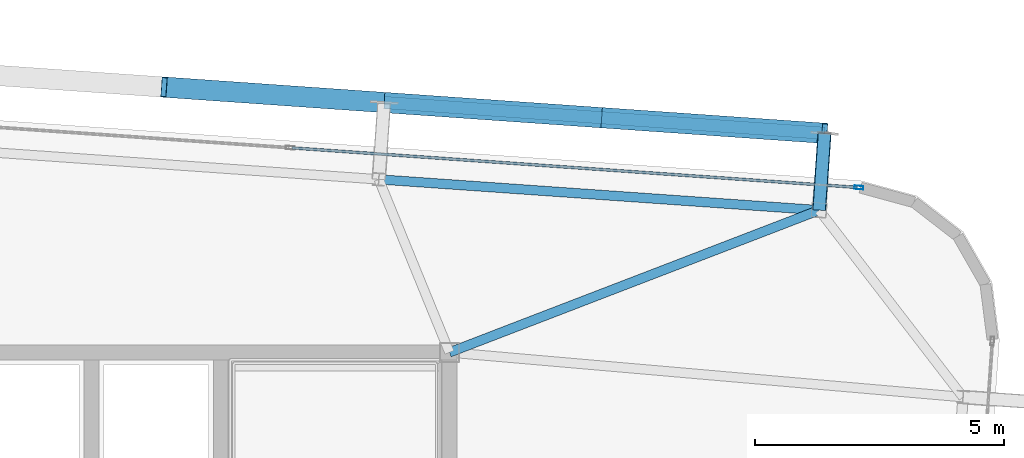
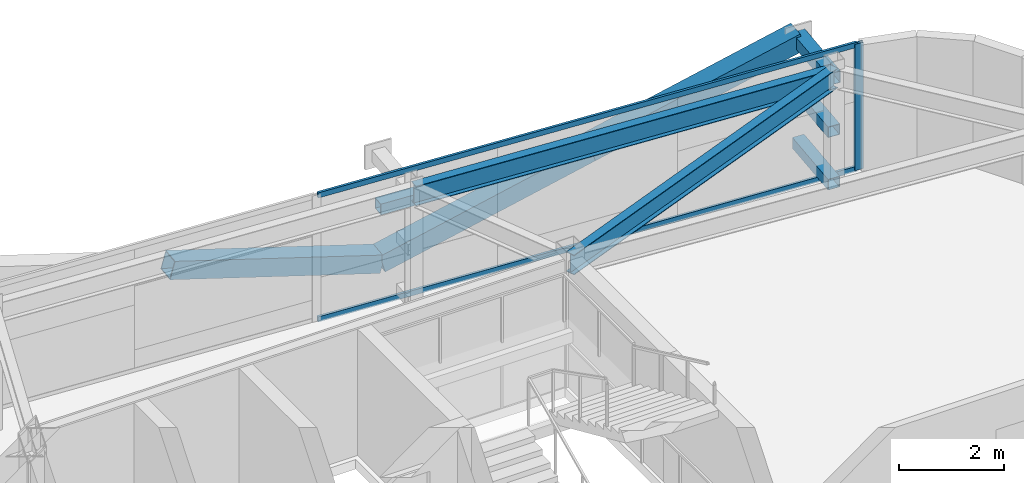
# One storey, part 24 of 39: 10 members, 2 beams, 1 element without a shape of its own.
"""IFC4 building model written with IfcOpenShell, lengths in metres."""

from ifc_helpers import new_model, si_unit, direction, frame, origin, origin_2d, place, context, subcontext, project, spatial, hollow_rectangle, i_section, extrude, source, transform, mapped, material, layer, layer_set, material_profile, profile_set, type_object, element, aggregate, save


model = new_model("IFC4")

# Units and contexts
model_context = context("Model", 3, precision=1e-05, world=origin(), true_north=direction((0.0, 1.0)))
body_context = subcontext(model_context, "Body", "Model", "MODEL_VIEW")
ifc_project = project(units=[si_unit("LENGTHUNIT", "METRE"), si_unit("AREAUNIT", "SQUARE_METRE"), si_unit("VOLUMEUNIT", "CUBIC_METRE"), si_unit("PLANEANGLEUNIT", "RADIAN"), si_unit("MASSUNIT", "GRAM", prefix="KILO")], contexts=[model_context])

# Site, building, storey
site_placement = place(None, origin())
site = spatial("IfcSite", under=ifc_project, at=site_placement, CompositionType="ELEMENT")
building_placement = place(site_placement, origin())
building = spatial("IfcBuilding", under=site, at=building_placement, Name="Taldren Reach Tower", CompositionType="ELEMENT")
storey_placement = place(building_placement, frame((0.0, 0.0, 133.0)))
storey = spatial("IfcBuildingStorey", under=building, at=storey_placement, Name="L40", CompositionType="ELEMENT", Elevation=133.0)

# Members
ifc_material_1 = material(Name="Steel Gr 450 (C450L0)", Category="steel")
ifc_material_profile_1 = material_profile(ifc_material_1, hollow_rectangle(XDim=0.27490234375, YDim=0.27490234375, WallThickness=0.00927734375, at=origin_2d()), Name="275x275x9.3SHS")
ifc_profile_set_1 = profile_set([ifc_material_profile_1], Name="Steel Gr 450 (C450L0)")
member_type_1 = type_object("IfcMemberType", Name="MB-TIE273", PredefinedType="STRUT", material=ifc_profile_set_1)
shared_shape_1 = source(origin(), body_context, "Body", "SweptSolid", [
    extrude(hollow_rectangle(XDim=0.27490234375, YDim=0.27490234375, WallThickness=0.00927734375, at=origin_2d()), origin(), (0.0, 0.0, 1.0), 1.5498046875),
])
member_1_placement = place(storey_placement, frame((58.4365234375, 34.861572265625, 2.64990234375), z_axis=(0.069780535098, 0.997562367434, 0.0), x_axis=(-0.997562367434, 0.069780535098, 0.0)))
element("IfcMember", 1, at=member_1_placement, inside=storey, type_object=member_type_1, Name="Exoskeleton diaphragm tie strut B3-N6 L40", PredefinedType="STRUT", context=body_context, shape_type="MappedRepresentation", body=[
    mapped(shared_shape_1, transform((0.0, 0.0, 0.0), scale=1.0)),
])
ifc_material_2 = material(Name="Steel Gr 350 (C350L0)", Category="steel")
ifc_material_profile_2 = material_profile(ifc_material_2, hollow_rectangle(XDim=0.25, YDim=0.25, WallThickness=0.010009765625, at=origin_2d()), Name="250x250x10.0SHS")
ifc_profile_set_2 = profile_set([ifc_material_profile_2], Name="Steel Gr 350 (C350L0)")
member_type_2 = type_object("IfcMemberType", Name="MB-POST250", PredefinedType="POST", material=ifc_profile_set_2)
shared_shape_2 = source(origin(), body_context, "Body", "SweptSolid", [
    extrude(hollow_rectangle(XDim=0.25, YDim=0.25, WallThickness=0.010009765625, at=origin_2d()), origin(), (0.0, 0.0, 1.0), 1.5498046875),
])
for number, where, z_axis, x_axis, name in (
    (2, (58.4365234375, 34.861572265625, 0.219970703125), (0.069780535098, 0.997562367434, 0.0), (-0.997562367434, 0.069780535098, 0.0), "Exoskeleton base diaphragm tie strut B3-N6 L40"),
    (3, (58.4365234375, 34.861572265625, 1.43505859375), (0.069780535098, 0.997562367434, 0.0), (-0.997562367434, 0.069780535098, 0.0), "Exoskeleton mid-tier diaphragm tie B3-N6 L40"),
):
    element("IfcMember", number, at=place(storey_placement, frame(where, z_axis=z_axis, x_axis=x_axis)), inside=storey, type_object=member_type_2, Name=name, PredefinedType="POST", context=body_context, shape_type="MappedRepresentation", body=[
        mapped(shared_shape_2, transform((0.0, 0.0, 0.0), scale=1.0)),
    ])

# Beams
ifc_material_3 = material(Name="Steel Gr 350 (350PLUS)", Category="steel")
ifc_material_profile_3 = material_profile(ifc_material_3, i_section(OverallWidth=0.18994140625, OverallDepth=0.4541015625, WebThickness=0.008544921875, FlangeThickness=0.0126953125, at=origin_2d()), Name="460UB67.1")
ifc_profile_set_3 = profile_set([ifc_material_profile_3], Name="Steel Gr 350 (350PLUS)")
beam_type_1 = type_object("IfcBeamType", Name="SP-UB460B", PredefinedType="SPANDREL", material=ifc_profile_set_3)
shared_shape_3 = source(origin(), body_context, "Body", "SweptSolid", [
    extrude(i_section(OverallWidth=0.18994140625, OverallDepth=0.4541015625, WebThickness=0.008544921875, FlangeThickness=0.0126953125, at=origin_2d()), origin(), (0.0, 0.0, 1.0), 8.880126953125),
])
beam_1_placement = place(storey_placement, frame((58.4365234375, 34.861572265625, 2.702880859375), z_axis=(-0.997564479639, 0.069750333063, 0.0), x_axis=(-0.069750333063, -0.997564479639, 0.0)))
element("IfcBeam", 4, at=beam_1_placement, inside=storey, type_object=beam_type_1, Name="Perimeter spandrel B3 N6-N5 L40", PredefinedType="SPANDREL", context=body_context, shape_type="MappedRepresentation", body=[
    mapped(shared_shape_3, transform((0.0, 0.0, 0.0), scale=1.0)),
])
ifc_material_profile_4 = material_profile(ifc_material_3, i_section(OverallWidth=0.19091796875, OverallDepth=0.4599609375, WebThickness=0.010009765625, FlangeThickness=0.01611328125, at=origin_2d()), Name="460UB82.1")
ifc_profile_set_4 = profile_set([ifc_material_profile_4], Name="Steel Gr 350 (350PLUS)")
beam_type_2 = type_object("IfcBeamType", Name="BM-UB460A", PredefinedType="BEAM", material=ifc_profile_set_4)
shared_shape_4 = source(origin(), body_context, "Body", "SweptSolid", [
    extrude(i_section(OverallWidth=0.19091796875, OverallDepth=0.4599609375, WebThickness=0.010009765625, FlangeThickness=0.01611328125, at=origin_2d()), origin(), (0.0, 0.0, 1.0), 7.968017578125),
])
beam_2_placement = place(storey_placement, frame((51.0, 32.0, 2.699951171875), z_axis=(0.933287947144, 0.359128956943, 0.0), x_axis=(-0.359128956943, 0.933287947144, 0.0)))
element("IfcBeam", 5, at=beam_2_placement, inside=storey, type_object=beam_type_2, Name="Primary floor girder B3-N6 L40", PredefinedType="BEAM", context=body_context, shape_type="MappedRepresentation", body=[
    mapped(shared_shape_4, transform((0.0, 0.0, 0.0), scale=1.0)),
])

# Members
shared_shape_5 = source(origin(), body_context, "Body", "SweptSolid", [
    extrude(hollow_rectangle(XDim=0.25, YDim=0.25, WallThickness=0.010009765625, at=origin_2d()), origin(), (0.0, 0.0, 1.0), 8.880126953125),
])
member_2_placement = place(storey_placement, frame((49.686279296875, 37.02734375, 1.43505859375), z_axis=(0.997562566276, -0.06977769246, 0.0), x_axis=(0.06977769246, 0.997562566276, 0.0)))
element("IfcMember", 6, at=member_2_placement, inside=storey, type_object=member_type_2, Name="Exoskeleton mid-height ring chord B3-N5 L40", PredefinedType="POST", context=body_context, shape_type="MappedRepresentation", body=[
    mapped(shared_shape_5, transform((0.0, 0.0, 0.0), scale=1.0)),
])
ifc_material_profile_5 = material_profile(ifc_material_1, hollow_rectangle(XDim=0.409912109375, YDim=0.409912109375, WallThickness=0.01611328125, at=origin_2d()), Name="410x410x16.0SHS")
ifc_profile_set_5 = profile_set([ifc_material_profile_5], Name="Steel Gr 450 (C450L0)")
member_type_3 = type_object("IfcMemberType", Name="MB-EXO406", PredefinedType="BRACE", material=ifc_profile_set_5)
shared_shape_6 = source(origin(), body_context, "Body", "SweptSolid", [
    extrude(hollow_rectangle(XDim=0.409912109375, YDim=0.409912109375, WallThickness=0.01611328125, at=origin_2d()), origin(), (0.0, 0.0, 1.0), 4.603271484375),
])
for number, where, z_axis, x_axis, name in (
    (7, (49.686279296875, 37.02734375, 0.219970703125), (-0.962185784239, 0.067250114343, 0.263962002434), (-0.069722973508, -0.997566392259, 0.0), "Exoskeleton Diagrid Brace B3-N4 L40"),
    (8, (49.686279296875, 37.02734375, 0.219970703125), (0.962182351074, -0.067302910567, 0.263961060594), (0.06977769246, 0.997562566276, 0.0), "Exoskeleton Diagrid Brace B3-N5 L40"),
    (9, (54.115478515625, 36.717529296875, 1.43505859375), (0.962195820062, -0.067303852699, 0.263911718699), (0.06977769246, 0.997562566276, 0.0), "Exoskeleton Diagrid Brace B3-N5 L40"),
):
    element("IfcMember", number, at=place(storey_placement, frame(where, z_axis=z_axis, x_axis=x_axis)), inside=storey, type_object=member_type_3, Name=name, PredefinedType="BRACE", context=body_context, shape_type="MappedRepresentation", body=[
        mapped(shared_shape_6, transform((0.0, 0.0, 0.0), scale=1.0)),
    ])

# Curtain wall, members
ifc_material_4 = material(Name="Aluminium and Low-E Glass Unitised System", Category="aluminium")
ifc_layer = layer(ifc_material_4, 0.159912109375)
ifc_layer_set = layer_set([ifc_layer], Name="Aluminium and Low-E Glass Unitised System")
curtain_wall_type = type_object("IfcCurtainWallType", Name="CW-SYS-4", PredefinedType="NOTDEFINED", material=ifc_layer_set)
curtain_wall_placement = place(storey_placement, origin())
curtain_wall = element("IfcCurtainWall", 10, at=curtain_wall_placement, inside=storey, type_object=curtain_wall_type, Name="Unitised curtain wall CW-L40-N", PredefinedType="NOTDEFINED")
ifc_material_5 = material(Name="Anodised Aluminium 6063-T6", Category="aluminium")
ifc_material_profile_6 = material_profile(ifc_material_5, hollow_rectangle(XDim=0.054931640625, YDim=0.1201171875, WallThickness=0.0029296875, at=origin_2d()), Name="ALU-120x55x3RHS")
ifc_profile_set_6 = profile_set([ifc_material_profile_6], Name="Anodised Aluminium 6063-T6")
member_type_4 = type_object("IfcMemberType", Name="CW-TRN-135", PredefinedType="USERDEFINED", material=ifc_profile_set_6)
shared_shape_7 = source(origin(), body_context, "Body", "SweptSolid", [
    extrude(hollow_rectangle(XDim=0.054931640625, YDim=0.1201171875, WallThickness=0.0029296875, at=origin_2d()), origin(), (0.0, 0.0, 1.0), 11.39501953125),
])
member_3_placement = place(storey_placement, frame((59.2001953125, 35.3193359375, 0.027587890625), z_axis=(-0.997563740682, 0.069760900766, 0.0), x_axis=(-0.069760900766, -0.997563740682, 0.0)))
member_3 = element("IfcMember", 11, at=member_3_placement, type_object=member_type_4, Name="CW-4 transom 1.1", ObjectType="TRANSOM", PredefinedType="USERDEFINED", context=body_context, shape_type="MappedRepresentation", body=[
    mapped(shared_shape_7, transform((0.0, 0.0, 0.0), scale=1.0)),
])
member_4_placement = place(storey_placement, frame((59.2001953125, 35.3193359375, 2.902587890625), z_axis=(-0.997563740682, 0.069760900766, 0.0), x_axis=(-0.069760900766, -0.997563740682, 0.0)))
member_4 = element("IfcMember", 12, at=member_4_placement, type_object=member_type_4, Name="CW-4 transom 1.2", ObjectType="TRANSOM", PredefinedType="USERDEFINED", context=body_context, shape_type="MappedRepresentation", body=[
    mapped(shared_shape_7, transform((0.0, 0.0, 0.0), scale=1.0)),
])
ifc_material_profile_7 = material_profile(ifc_material_5, hollow_rectangle(XDim=0.070068359375, YDim=0.179931640625, WallThickness=0.00390625, at=origin_2d()), Name="ALU-180x70x4RHS")
ifc_profile_set_7 = profile_set([ifc_material_profile_7], Name="Anodised Aluminium 6063-T6")
member_type_5 = type_object("IfcMemberType", Name="CW-MUL-180", PredefinedType="MULLION", material=ifc_profile_set_7)
shared_shape_8 = source(origin(), body_context, "Body", "SweptSolid", [
    extrude(hollow_rectangle(XDim=0.070068359375, YDim=0.179931640625, WallThickness=0.00390625, at=origin_2d()), origin(), (0.0, 0.0, 1.0), 2.929931640625),
])
member_5_placement = place(storey_placement, frame((59.235107421875, 35.31689453125, 0.0), z_axis=(0.0, 0.0, 1.0), x_axis=(-0.06975651593, -0.99756404731, 0.0)))
member_5 = element("IfcMember", 13, at=member_5_placement, type_object=member_type_5, Name="CW-4 mullion 1", PredefinedType="MULLION", context=body_context, shape_type="MappedRepresentation", body=[
    mapped(shared_shape_8, transform((0.0, 0.0, 0.0), scale=1.0)),
])
aggregate(curtain_wall, [member_5, member_3, member_4])

save(model, "model.ifc")
